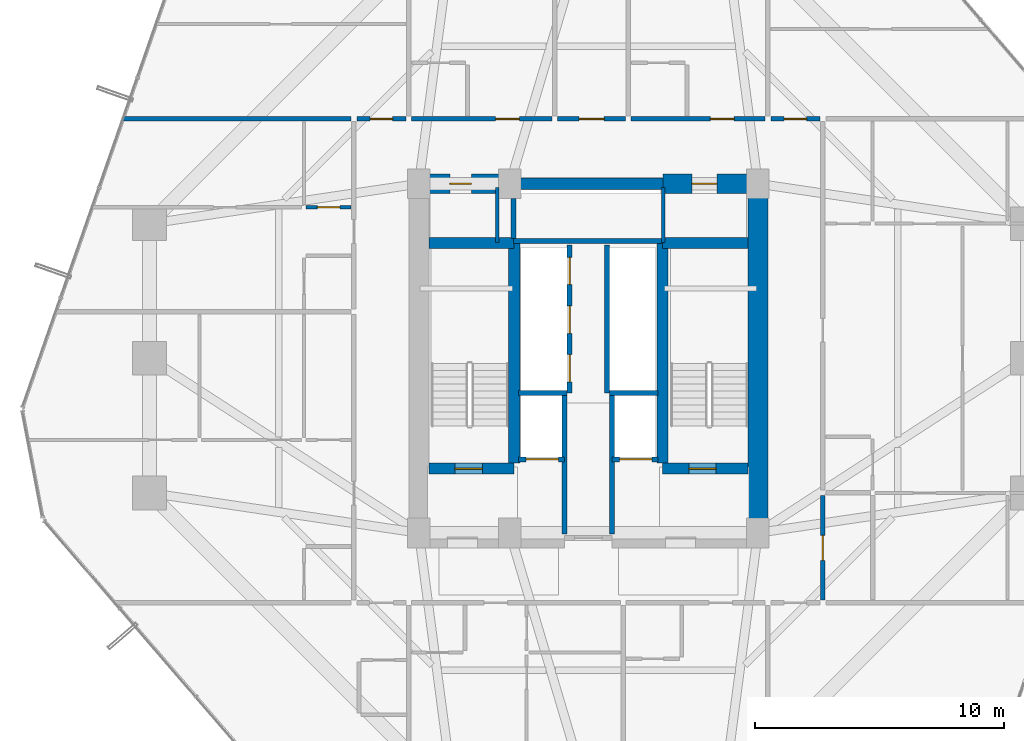
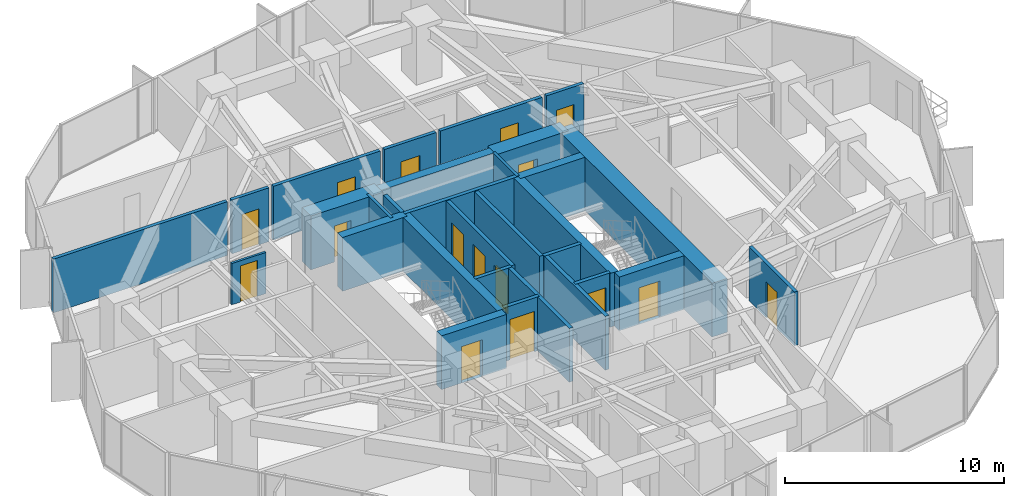
# One storey, part 34 of 38: 30 walls, 16 doors, 16 openings.
"""IFC4 building model written with IfcOpenShell, lengths in metres."""

from ifc_helpers import new_model, si_unit, direction, frame, frame_2d, origin, place, context, subcontext, project, spatial, rectangle, extrude, source, transform, mapped, material, layer, layer_set, type_object, element, fill, save


model = new_model("IFC4")

# Units and contexts
model_context = context("Model", 3, precision=1e-05, world=origin(), true_north=direction((0.0, 1.0)))
body_context = subcontext(model_context, "Body", "Model", "MODEL_VIEW")
ifc_project = project(units=[si_unit("LENGTHUNIT", "METRE"), si_unit("AREAUNIT", "SQUARE_METRE"), si_unit("VOLUMEUNIT", "CUBIC_METRE"), si_unit("PLANEANGLEUNIT", "RADIAN"), si_unit("MASSUNIT", "GRAM", prefix="KILO")], contexts=[model_context])

# Site, building, storey
site_placement = place(None, origin())
site = spatial("IfcSite", under=ifc_project, at=site_placement, CompositionType="ELEMENT")
building_placement = place(site_placement, origin())
building = spatial("IfcBuilding", under=site, at=building_placement, Name="Veraguas Prism Commons", CompositionType="ELEMENT")
storey_placement = place(building_placement, frame((0.0, 0.0, 60.85009765625)))
storey = spatial("IfcBuildingStorey", under=building, at=storey_placement, Name="L16", CompositionType="ELEMENT", Elevation=60.85009765625)

# Wall
ifc_material_1 = material(Name="Concrete C60/75", Category="concrete")
ifc_layer_1 = layer(ifc_material_1, 0.449951171875, Name="Core Internal Shear Wall Lower RC 450", Category="concrete")
ifc_layer_set_1 = layer_set([ifc_layer_1], Name="Concrete C60/75")
wall_type_1 = type_object("IfcWallType", Name="Core Internal Shear Wall Lower RC 450", PredefinedType="SHEAR", material=ifc_layer_set_1)
wall_1_placement = place(storey_placement, frame((21.0, 31.0, 0.0), z_axis=(0.0, 0.0, 1.0), x_axis=(1.0, 0.0, 0.0)))
element("IfcWall", 1, at=wall_1_placement, inside=storey, type_object=wall_type_1, Name="High-Rise Lift Bank Front Shear Wall L16", PredefinedType="SHEAR", context=body_context, shape_type="SweptSolid", body=[
    extrude(rectangle(XDim=6.0, YDim=0.449951171875, at=frame_2d((3.0, 0.0))), origin(), (0.0, 0.0, 1.0), 3.0),
])

# Wall, opening, door
wall_2_placement = place(storey_placement, frame((17.60009765625, 19.574951171875, 0.0), z_axis=(0.0, 0.0, 1.0), x_axis=(1.0, 0.0, 0.0)))
wall_2 = element("IfcWall", 2, at=wall_2_placement, inside=storey, type_object=wall_type_1, Name="Stair ST-01 South Shear Wall L16", PredefinedType="SHEAR", context=body_context, shape_type="SweptSolid", body=[
    extrude(rectangle(XDim=3.4248046875, YDim=0.449951171875, at=frame_2d((1.71240234375, 0.0))), origin(), (0.0, 0.0, 1.0), 3.0),
])
opening_1_placement = place(wall_2_placement, frame((1.050048828125, 0.0, 0.0)))
opening_1 = element("IfcOpeningElement", 3, at=opening_1_placement, cuts=wall_2, Name="Opening DR-05", PredefinedType="OPENING", context=body_context, shape_type="SweptSolid", body=[
    extrude(rectangle(XDim=1.10009765625, YDim=2.030029296875, at=frame_2d((0.550048828125, 1.01513671875))), frame((0.0, 0.23486328125, 0.0), z_axis=(0.0, -1.0, 0.0), x_axis=(1.0, 0.0, 0.0)), (0.0, 0.0, 1.0), 0.469970703125),
])
ifc_material_2 = material(Name="Steel fire-rated door assembly", Category="steel")
door_type_1 = type_object("IfcDoorType", Name="Protected Stair and Refuge Fire Door 1100x2030", OperationType="NOTDEFINED", PredefinedType="DOOR", material=ifc_material_2)
shared_shape_1 = source(origin(), body_context, "Body", "SweptSolid", [
    extrude(rectangle(XDim=1.10009765625, YDim=2.030029296875, at=frame_2d((0.550048828125, 1.01513671875))), frame((0.0, 0.02490234375, 0.0), z_axis=(0.0, -1.0, 0.0), x_axis=(1.0, 0.0, 0.0)), (0.0, 0.0, 1.0), 0.050048828125),
])
door_1_placement = place(opening_1_placement, origin())
door_1 = element("IfcDoor", 4, at=door_1_placement, inside=storey, type_object=door_type_1, Name="Stair ST-01 Enclosure Door L16", OperationType="SINGLE_SWING_RIGHT", OverallHeight=2.030029296875, OverallWidth=1.10009765625, PredefinedType="DOOR", context=body_context, shape_type="MappedRepresentation", body=[
    mapped(shared_shape_1, transform((0.0, 0.0, 0.0), scale=1.0)),
])
fill(opening_1, door_1)

wall_3_placement = place(storey_placement, frame((26.97509765625, 19.574951171875, 0.0), z_axis=(0.0, 0.0, 1.0), x_axis=(1.0, 0.0, 0.0)))
wall_3 = element("IfcWall", 5, at=wall_3_placement, inside=storey, type_object=wall_type_1, Name="Stair ST-02 South Shear Wall L16", PredefinedType="SHEAR", context=body_context, shape_type="SweptSolid", body=[
    extrude(rectangle(XDim=3.4248046875, YDim=0.449951171875, at=frame_2d((1.71240234375, 0.0))), origin(), (0.0, 0.0, 1.0), 3.0),
])
opening_2_placement = place(wall_3_placement, frame((1.050048828125, 0.0, 0.0)))
opening_2 = element("IfcOpeningElement", 6, at=opening_2_placement, cuts=wall_3, Name="Opening DR-05", PredefinedType="OPENING", context=body_context, shape_type="SweptSolid", body=[
    extrude(rectangle(XDim=1.10009765625, YDim=2.030029296875, at=frame_2d((0.550048828125, 1.01513671875))), frame((0.0, 0.23486328125, 0.0), z_axis=(0.0, -1.0, 0.0), x_axis=(1.0, 0.0, 0.0)), (0.0, 0.0, 1.0), 0.469970703125),
])
door_2_placement = place(opening_2_placement, origin())
door_2 = element("IfcDoor", 7, at=door_2_placement, inside=storey, type_object=door_type_1, Name="Stair ST-02 Enclosure Door L16", OperationType="SINGLE_SWING_LEFT", OverallHeight=2.030029296875, OverallWidth=1.10009765625, PredefinedType="DOOR", context=body_context, shape_type="MappedRepresentation", body=[
    mapped(shared_shape_1, transform((0.0, 0.0, 0.0), scale=1.0)),
])
fill(opening_2, door_2)

# Walls
for number, where, z_axis, x_axis, name in (
    (8, (21.02490234375, 19.800048828125, 0.0), (0.0, 0.0, 1.0), (0.0, 1.0, 0.0), "Stair ST-01 Inner Shear Wall L16"),
    (9, (26.97509765625, 19.800048828125, 0.0), (0.0, 0.0, 1.0), (0.0, 1.0, 0.0), "Stair ST-02 Inner Shear Wall L16"),
):
    element("IfcWall", number, at=place(storey_placement, frame(where, z_axis=z_axis, x_axis=x_axis)), inside=storey, type_object=wall_type_1, Name=name, PredefinedType="SHEAR", context=body_context, shape_type="SweptSolid", body=[
        extrude(rectangle(XDim=8.824951171875, YDim=0.449951171875, at=frame_2d((4.41259765625, 0.0))), origin(), (0.0, 0.0, 1.0), 3.0),
    ])
for number, where, z_axis, x_axis, name in (
    (10, (17.60009765625, 28.625, 0.0), (0.0, 0.0, 1.0), (1.0, 0.0, 0.0), "Stair ST-01 North Shear Wall L16"),
    (11, (26.97509765625, 28.625, 0.0), (0.0, 0.0, 1.0), (1.0, 0.0, 0.0), "Stair ST-02 North Shear Wall L16"),
):
    element("IfcWall", number, at=place(storey_placement, frame(where, z_axis=z_axis, x_axis=x_axis)), inside=storey, type_object=wall_type_1, Name=name, PredefinedType="SHEAR", context=body_context, shape_type="SweptSolid", body=[
        extrude(rectangle(XDim=3.4248046875, YDim=0.449951171875, at=frame_2d((1.71240234375, 0.0))), origin(), (0.0, 0.0, 1.0), 3.0),
    ])
ifc_layer_2 = layer(ifc_material_1, 0.800048828125, Name="Core Outer Shear Wall Lower RC 800", Category="concrete")
ifc_layer_set_2 = layer_set([ifc_layer_2], Name="Concrete C60/75")
wall_type_2 = type_object("IfcWallType", Name="Core Outer Shear Wall Lower RC 800", PredefinedType="SHEAR", material=ifc_layer_set_2)
wall_4_placement = place(storey_placement, frame((30.800048828125, 16.800048828125, 0.0), z_axis=(0.0, 0.0, 1.0), x_axis=(0.0, 1.0, 0.0)))
element("IfcWall", 12, at=wall_4_placement, inside=storey, type_object=wall_type_2, Name="Central Core East Shear Wall L16", PredefinedType="SHEAR", context=body_context, shape_type="SweptSolid", body=[
    extrude(rectangle(XDim=14.199951171875, YDim=0.800048828125, at=frame_2d((7.10009765625, 0.0))), origin(), (0.0, 0.0, 1.0), 3.0),
])

# Wall, opening, door
wall_5_placement = place(storey_placement, frame((17.199951171875, 31.0, 0.0), z_axis=(0.0, 0.0, 1.0), x_axis=(1.0, 0.0, 0.0)))
wall_5 = element("IfcWall", 13, at=wall_5_placement, inside=storey, type_object=wall_type_2, Name="Central Core North-West Shear Wall L16", PredefinedType="SHEAR", context=body_context, shape_type="SweptSolid", body=[
    extrude(rectangle(XDim=3.800048828125, YDim=0.800048828125, at=frame_2d((1.89990234375, 0.0))), origin(), (0.0, 0.0, 1.0), 3.0),
])
opening_3_placement = place(wall_5_placement, frame((1.25, 0.0, 0.0)))
opening_3 = element("IfcOpeningElement", 14, at=opening_3_placement, cuts=wall_5, Name="Opening DR-12", PredefinedType="OPENING", context=body_context, shape_type="SweptSolid", body=[
    extrude(rectangle(XDim=0.860107421875, YDim=2.010009765625, at=frame_2d((0.43017578125, 1.0048828125))), frame((0.0, 0.409912109375, 0.0), z_axis=(0.0, -1.0, 0.0), x_axis=(1.0, 0.0, 0.0)), (0.0, 0.0, 1.0), 0.820068359375),
])
door_type_2 = type_object("IfcDoorType", Name="Core WC Fire Door 860x2010", OperationType="NOTDEFINED", PredefinedType="DOOR", material=ifc_material_2)
shared_shape_2 = source(origin(), body_context, "Body", "SweptSolid", [
    extrude(rectangle(XDim=0.860107421875, YDim=2.010009765625, at=frame_2d((0.43017578125, 1.0048828125))), frame((0.0, 0.02490234375, 0.0), z_axis=(0.0, -1.0, 0.0), x_axis=(1.0, 0.0, 0.0)), (0.0, 0.0, 1.0), 0.050048828125),
])
door_3_placement = place(opening_3_placement, origin())
door_3 = element("IfcDoor", 15, at=door_3_placement, inside=storey, type_object=door_type_2, Name="Core NW Service Door L16", OperationType="SINGLE_SWING_RIGHT", OverallHeight=2.010009765625, OverallWidth=0.860107421875, PredefinedType="DOOR", context=body_context, shape_type="MappedRepresentation", body=[
    mapped(shared_shape_2, transform((0.0, 0.0, 0.0), scale=1.0)),
])
fill(opening_3, door_3)

wall_6_placement = place(storey_placement, frame((27.0, 31.0, 0.0), z_axis=(0.0, 0.0, 1.0), x_axis=(1.0, 0.0, 0.0)))
wall_6 = element("IfcWall", 16, at=wall_6_placement, inside=storey, type_object=wall_type_2, Name="Central Core North-East Shear Wall L16", PredefinedType="SHEAR", context=body_context, shape_type="SweptSolid", body=[
    extrude(rectangle(XDim=3.800048828125, YDim=0.800048828125, at=frame_2d((1.89990234375, 0.0))), origin(), (0.0, 0.0, 1.0), 3.0),
])
opening_4_placement = place(wall_6_placement, frame((1.14990234375, 0.0, 0.0)))
opening_4 = element("IfcOpeningElement", 17, at=opening_4_placement, cuts=wall_6, Name="Opening DR-13", PredefinedType="OPENING", context=body_context, shape_type="SweptSolid", body=[
    extrude(rectangle(XDim=1.0, YDim=2.010009765625, at=frame_2d((0.5, 1.0048828125))), frame((0.0, 0.409912109375, 0.0), z_axis=(0.0, -1.0, 0.0), x_axis=(1.0, 0.0, 0.0)), (0.0, 0.0, 1.0), 0.820068359375),
])
door_type_3 = type_object("IfcDoorType", Name="Core Accessible WC and Clinic Fire Door 1000x2010", OperationType="NOTDEFINED", PredefinedType="DOOR", material=ifc_material_2)
shared_shape_3 = source(origin(), body_context, "Body", "SweptSolid", [
    extrude(rectangle(XDim=1.0, YDim=2.010009765625, at=frame_2d((0.5, 1.0048828125))), frame((0.0, 0.02490234375, 0.0), z_axis=(0.0, -1.0, 0.0), x_axis=(1.0, 0.0, 0.0)), (0.0, 0.0, 1.0), 0.050048828125),
])
door_4_placement = place(opening_4_placement, origin())
door_4 = element("IfcDoor", 18, at=door_4_placement, inside=storey, type_object=door_type_3, Name="Core NE Pantry Door L16", OperationType="SINGLE_SWING_LEFT", OverallHeight=2.010009765625, OverallWidth=1.0, PredefinedType="DOOR", context=body_context, shape_type="MappedRepresentation", body=[
    mapped(shared_shape_3, transform((0.0, 0.0, 0.0), scale=1.0)),
])
fill(opening_4, door_4)

ifc_material_3 = material(Name="Autoclaved aerated masonry block 10 MPa", Category="masonry")
ifc_layer_3 = layer(ifc_material_3, 0.179931640625, Name="Corridor and Inter-Tenancy Partition 180", Category="masonry")
ifc_layer_set_3 = layer_set([ifc_layer_3], Name="Autoclaved aerated masonry block 10 MPa")
wall_type_3 = type_object("IfcWallType", Name="Corridor and Inter-Tenancy Partition 180", PredefinedType="PARTITIONING", material=ifc_layer_set_3)
wall_7_placement = place(storey_placement, frame((22.76806640625, 33.60009765625, 0.0), z_axis=(0.0, 0.0, 1.0), x_axis=(1.0, 0.0, 0.0)))
wall_7 = element("IfcWall", 19, at=wall_7_placement, inside=storey, type_object=wall_type_3, Name="WL-L16-PT017", PredefinedType="PARTITIONING", context=body_context, shape_type="SweptSolid", body=[
    extrude(rectangle(XDim=2.72998046875, YDim=0.179931640625, at=frame_2d((1.364990234375, 0.0))), origin(), (0.0, 0.0, 1.0), 3.0),
])
opening_5_placement = place(wall_7_placement, frame((0.864990234375, 0.0, 0.0)))
opening_5 = element("IfcOpeningElement", 20, at=opening_5_placement, cuts=wall_7, Name="Opening DR-13", PredefinedType="OPENING", context=body_context, shape_type="SweptSolid", body=[
    extrude(rectangle(XDim=1.0, YDim=2.010009765625, at=frame_2d((0.5, 1.0048828125))), frame((0.0, 0.099853515625, 0.0), z_axis=(0.0, -1.0, 0.0), x_axis=(1.0, 0.0, 0.0)), (0.0, 0.0, 1.0), 0.199951171875),
])
door_5_placement = place(opening_5_placement, origin())
door_5 = element("IfcDoor", 21, at=door_5_placement, inside=storey, type_object=door_type_3, Name="Quiet Study N Door", OperationType="SINGLE_SWING_LEFT", OverallHeight=2.010009765625, OverallWidth=1.0, PredefinedType="DOOR", context=body_context, shape_type="MappedRepresentation", body=[
    mapped(shared_shape_3, transform((0.0, 0.0, 0.0), scale=1.0)),
])
fill(opening_5, door_5)

wall_8_placement = place(storey_placement, frame((16.909912109375, 33.60009765625, 0.0), z_axis=(0.0, 0.0, 1.0), x_axis=(1.0, 0.0, 0.0)))
wall_8 = element("IfcWall", 22, at=wall_8_placement, inside=storey, type_object=wall_type_3, Name="WL-L16-PT019", PredefinedType="PARTITIONING", context=body_context, shape_type="SweptSolid", body=[
    extrude(rectangle(XDim=5.63818359375, YDim=0.179931640625, at=frame_2d((2.819091796875, 0.0))), origin(), (0.0, 0.0, 1.0), 3.0),
])
opening_6_placement = place(wall_8_placement, frame((3.373046875, 0.0, 0.0)))
opening_6 = element("IfcOpeningElement", 23, at=opening_6_placement, cuts=wall_8, Name="Opening DR-01", PredefinedType="OPENING", context=body_context, shape_type="SweptSolid", body=[
    extrude(rectangle(XDim=0.949951171875, YDim=2.02001953125, at=frame_2d((0.47509765625, 1.010009765625))), frame((0.0, 0.099853515625, 0.0), z_axis=(0.0, -1.0, 0.0), x_axis=(1.0, 0.0, 0.0)), (0.0, 0.0, 1.0), 0.199951171875),
])
ifc_material_4 = material(Name="Anodised aluminium EN AW-6063 T6", Category="aluminium")
door_type_4 = type_object("IfcDoorType", Name="Apartment Entrance Fire Door 950x2020", OperationType="NOTDEFINED", PredefinedType="DOOR", material=ifc_material_4)
shared_shape_4 = source(origin(), body_context, "Body", "SweptSolid", [
    extrude(rectangle(XDim=0.949951171875, YDim=2.02001953125, at=frame_2d((0.47509765625, 1.010009765625))), frame((0.0, 0.02490234375, 0.0), z_axis=(0.0, -1.0, 0.0), x_axis=(1.0, 0.0, 0.0)), (0.0, 0.0, 1.0), 0.050048828125),
])
door_6_placement = place(opening_6_placement, origin())
door_6 = element("IfcDoor", 24, at=door_6_placement, inside=storey, type_object=door_type_4, Name="Studio 16C Entrance Door", OperationType="SINGLE_SWING_RIGHT", OverallHeight=2.02001953125, OverallWidth=0.949951171875, PredefinedType="DOOR", context=body_context, shape_type="MappedRepresentation", body=[
    mapped(shared_shape_4, transform((0.0, 0.0, 0.0), scale=1.0)),
])
fill(opening_6, door_6)

wall_9_placement = place(storey_placement, frame((25.718017578125, 33.60009765625, 0.0), z_axis=(0.0, 0.0, 1.0), x_axis=(1.0, 0.0, 0.0)))
wall_9 = element("IfcWall", 25, at=wall_9_placement, inside=storey, type_object=wall_type_3, Name="WL-L16-PT023", PredefinedType="PARTITIONING", context=body_context, shape_type="SweptSolid", body=[
    extrude(rectangle(XDim=5.3720703125, YDim=0.179931640625, at=frame_2d((2.68603515625, 0.0))), origin(), (0.0, 0.0, 1.0), 3.0),
])
opening_7_placement = place(wall_9_placement, frame((3.17626953125, 0.0, 0.0)))
opening_7 = element("IfcOpeningElement", 26, at=opening_7_placement, cuts=wall_9, Name="Opening DR-01", PredefinedType="OPENING", context=body_context, shape_type="SweptSolid", body=[
    extrude(rectangle(XDim=0.949951171875, YDim=2.02001953125, at=frame_2d((0.47509765625, 1.010009765625))), frame((0.0, 0.099853515625, 0.0), z_axis=(0.0, -1.0, 0.0), x_axis=(1.0, 0.0, 0.0)), (0.0, 0.0, 1.0), 0.199951171875),
])
door_7_placement = place(opening_7_placement, origin())
door_7 = element("IfcDoor", 27, at=door_7_placement, inside=storey, type_object=door_type_4, Name="Studio 16D Entrance Door", OperationType="SINGLE_SWING_RIGHT", OverallHeight=2.02001953125, OverallWidth=0.949951171875, PredefinedType="DOOR", context=body_context, shape_type="MappedRepresentation", body=[
    mapped(shared_shape_4, transform((0.0, 0.0, 0.0), scale=1.0)),
])
fill(opening_7, door_7)

# Wall
wall_10_placement = place(storey_placement, frame((14.47998046875, 33.60009765625, 0.0), z_axis=(0.0, 0.0, 1.0), x_axis=(-1.0, 0.0, 0.0)))
element("IfcWall", 28, at=wall_10_placement, inside=storey, type_object=wall_type_3, Name="WL-L16-PT027", PredefinedType="PARTITIONING", context=body_context, shape_type="SweptSolid", body=[
    extrude(rectangle(XDim=9.17626953125, YDim=0.179931640625, at=frame_2d((4.588134765625, 0.0))), origin(), (0.0, 0.0, 1.0), 3.0),
])

# Wall, opening, door
wall_11_placement = place(storey_placement, frame((33.39990234375, 14.31005859375, 0.0), z_axis=(0.0, 0.0, 1.0), x_axis=(0.0, 1.0, 0.0)))
wall_11 = element("IfcWall", 29, at=wall_11_placement, inside=storey, type_object=wall_type_3, Name="WL-L16-PT045", PredefinedType="PARTITIONING", context=body_context, shape_type="SweptSolid", body=[
    extrude(rectangle(XDim=4.179931640625, YDim=0.179931640625, at=frame_2d((2.08984375, 0.0))), origin(), (0.0, 0.0, 1.0), 3.0),
])
opening_8_placement = place(wall_11_placement, frame((1.590087890625, 0.0, 0.0)))
opening_8 = element("IfcOpeningElement", 30, at=opening_8_placement, cuts=wall_11, Name="Opening DR-13", PredefinedType="OPENING", context=body_context, shape_type="SweptSolid", body=[
    extrude(rectangle(XDim=1.0, YDim=2.010009765625, at=frame_2d((0.5, 1.0048828125))), frame((0.0, 0.099853515625, 0.0), z_axis=(0.0, -1.0, 0.0), x_axis=(1.0, 0.0, 0.0)), (0.0, 0.0, 1.0), 0.199951171875),
])
door_8_placement = place(opening_8_placement, origin())
door_8 = element("IfcDoor", 31, at=door_8_placement, inside=storey, type_object=door_type_3, Name="Residents Study Alcove 16G Door", OperationType="SINGLE_SWING_LEFT", OverallHeight=2.010009765625, OverallWidth=1.0, PredefinedType="DOOR", context=body_context, shape_type="MappedRepresentation", body=[
    mapped(shared_shape_3, transform((0.0, 0.0, 0.0), scale=1.0)),
])
fill(opening_8, door_8)

wall_12_placement = place(storey_placement, frame((14.719970703125, 33.60009765625, 0.0), z_axis=(0.0, 0.0, 1.0), x_axis=(1.0, 0.0, 0.0)))
wall_12 = element("IfcWall", 32, at=wall_12_placement, inside=storey, type_object=wall_type_3, Name="WL-L16-PT065", PredefinedType="PARTITIONING", context=body_context, shape_type="SweptSolid", body=[
    extrude(rectangle(XDim=1.9599609375, YDim=0.179931640625, at=frame_2d((0.97998046875, 0.0))), origin(), (0.0, 0.0, 1.0), 3.0),
])
opening_9_placement = place(wall_12_placement, frame((0.530029296875, 0.0, 0.0)))
opening_9 = element("IfcOpeningElement", 33, at=opening_9_placement, cuts=wall_12, Name="Opening DR-14", PredefinedType="OPENING", context=body_context, shape_type="SweptSolid", body=[
    extrude(rectangle(XDim=0.89990234375, YDim=2.010009765625, at=frame_2d((0.449951171875, 1.0048828125))), frame((0.0, 0.099853515625, 0.0), z_axis=(0.0, -1.0, 0.0), x_axis=(1.0, 0.0, 0.0)), (0.0, 0.0, 1.0), 0.199951171875),
])
door_type_5 = type_object("IfcDoorType", Name="Core Service Room Fire Door 900x2010", OperationType="NOTDEFINED", PredefinedType="DOOR", material=ifc_material_2)
shared_shape_5 = source(origin(), body_context, "Body", "SweptSolid", [
    extrude(rectangle(XDim=0.89990234375, YDim=2.010009765625, at=frame_2d((0.449951171875, 1.0048828125))), frame((0.0, 0.02490234375, 0.0), z_axis=(0.0, -1.0, 0.0), x_axis=(1.0, 0.0, 0.0)), (0.0, 0.0, 1.0), 0.050048828125),
])
door_9_placement = place(opening_9_placement, origin())
door_9 = element("IfcDoor", 34, at=door_9_placement, inside=storey, type_object=door_type_5, Name="Shared Laundry Room Door", OperationType="SINGLE_SWING_LEFT", OverallHeight=2.010009765625, OverallWidth=0.89990234375, PredefinedType="DOOR", context=body_context, shape_type="MappedRepresentation", body=[
    mapped(shared_shape_5, transform((0.0, 0.0, 0.0), scale=1.0)),
])
fill(opening_9, door_9)

wall_13_placement = place(storey_placement, frame((31.320068359375, 33.60009765625, 0.0), z_axis=(0.0, 0.0, 1.0), x_axis=(1.0, 0.0, 0.0)))
wall_13 = element("IfcWall", 35, at=wall_13_placement, inside=storey, type_object=wall_type_3, Name="WL-L16-PT067", PredefinedType="PARTITIONING", context=body_context, shape_type="SweptSolid", body=[
    extrude(rectangle(XDim=1.9599609375, YDim=0.179931640625, at=frame_2d((0.97998046875, 0.0))), origin(), (0.0, 0.0, 1.0), 3.0),
])
opening_10_placement = place(wall_13_placement, frame((0.530029296875, 0.0, 0.0)))
opening_10 = element("IfcOpeningElement", 36, at=opening_10_placement, cuts=wall_13, Name="Opening DR-14", PredefinedType="OPENING", context=body_context, shape_type="SweptSolid", body=[
    extrude(rectangle(XDim=0.89990234375, YDim=2.010009765625, at=frame_2d((0.449951171875, 1.0048828125))), frame((0.0, 0.099853515625, 0.0), z_axis=(0.0, -1.0, 0.0), x_axis=(1.0, 0.0, 0.0)), (0.0, 0.0, 1.0), 0.199951171875),
])
door_10_placement = place(opening_10_placement, origin())
door_10 = element("IfcDoor", 37, at=door_10_placement, inside=storey, type_object=door_type_5, Name="Corner Study NE Door", OperationType="SINGLE_SWING_LEFT", OverallHeight=2.010009765625, OverallWidth=0.89990234375, PredefinedType="DOOR", context=body_context, shape_type="MappedRepresentation", body=[
    mapped(shared_shape_5, transform((0.0, 0.0, 0.0), scale=1.0)),
])
fill(opening_10, door_10)

ifc_material_5 = material(Name="Lightweight acoustic gypsum board")
ifc_layer_4 = layer(ifc_material_5, 0.125, Name="Internal Apartment Room Partition 125")
ifc_layer_set_4 = layer_set([ifc_layer_4], Name="Lightweight acoustic gypsum board")
wall_type_4 = type_object("IfcWallType", Name="Internal Apartment Room Partition 125", PredefinedType="PARTITIONING", material=ifc_layer_set_4)
wall_14_placement = place(storey_placement, frame((14.47998046875, 30.05810546875, 0.0), z_axis=(0.0, 0.0, 1.0), x_axis=(-1.0, 0.0, 0.0)))
wall_14 = element("IfcWall", 38, at=wall_14_placement, inside=storey, type_object=wall_type_4, Name="WL-L16-PT040", PredefinedType="PARTITIONING", context=body_context, shape_type="SweptSolid", body=[
    extrude(rectangle(XDim=1.800048828125, YDim=0.125, at=frame_2d((0.89990234375, 0.0))), origin(), (0.0, 0.0, 1.0), 2.298828125),
])
opening_11_placement = place(wall_14_placement, frame((0.449951171875, 0.0, 0.0)))
opening_11 = element("IfcOpeningElement", 39, at=opening_11_placement, cuts=wall_14, Name="Opening DR-02", PredefinedType="OPENING", context=body_context, shape_type="SweptSolid", body=[
    extrude(rectangle(XDim=0.89990234375, YDim=2.010009765625, at=frame_2d((0.449951171875, 1.0048828125))), frame((0.0, 0.072509765625, 0.0), z_axis=(0.0, -1.0, 0.0), x_axis=(1.0, 0.0, 0.0)), (0.0, 0.0, 1.0), 0.14501953125),
])
ifc_material_6 = material(Name="Timber solid core hardwood", Category="wood")
door_type_6 = type_object("IfcDoorType", Name="Internal Habitable Room Door 900x2010", OperationType="NOTDEFINED", PredefinedType="DOOR", material=ifc_material_6)
door_11_placement = place(opening_11_placement, origin())
door_11 = element("IfcDoor", 40, at=door_11_placement, inside=storey, type_object=door_type_6, Name="Flat 16F Kitchen Door", OperationType="SINGLE_SWING_LEFT", OverallHeight=2.010009765625, OverallWidth=0.89990234375, PredefinedType="DOOR", context=body_context, shape_type="MappedRepresentation", body=[
    mapped(shared_shape_5, transform((0.0, 0.0, 0.0), scale=1.0)),
])
fill(opening_11, door_11)

ifc_layer_5 = layer(ifc_material_3, 0.199951171875, Name="Rated Shaft and Lobby Block Wall 200", Category="masonry")
ifc_layer_set_5 = layer_set([ifc_layer_5], Name="Autoclaved aerated masonry block 10 MPa")
wall_type_5 = type_object("IfcWallType", Name="Rated Shaft and Lobby Block Wall 200", PredefinedType="SOLIDWALL", material=ifc_layer_set_5)
wall_15_placement = place(storey_placement, frame((21.199951171875, 19.949951171875, 0.0), z_axis=(0.0, 0.0, 1.0), x_axis=(1.0, 0.0, 0.0)))
wall_15 = element("IfcWall", 41, at=wall_15_placement, inside=storey, type_object=wall_type_5, Name="Firefighting Lift FFL-1 Front Wall L16", PredefinedType="SOLIDWALL", context=body_context, shape_type="SweptSolid", body=[
    extrude(rectangle(XDim=1.85009765625, YDim=0.199951171875, at=frame_2d((0.925048828125, 0.0))), origin(), (0.0, 0.0, 1.0), 3.0),
])
opening_12_placement = place(wall_15_placement, frame((0.300048828125, 0.0, 0.0)))
opening_12 = element("IfcOpeningElement", 42, at=opening_12_placement, cuts=wall_15, Name="Opening LD-02", PredefinedType="OPENING", context=body_context, shape_type="SweptSolid", body=[
    extrude(rectangle(XDim=1.300048828125, YDim=2.25, at=frame_2d((0.64990234375, 1.125))), frame((0.0, 0.10986328125, 0.0), z_axis=(0.0, -1.0, 0.0), x_axis=(1.0, 0.0, 0.0)), (0.0, 0.0, 1.0), 0.219970703125),
])
ifc_material_7 = material(Name="Stainless steel AISI 316", Category="steel")
door_type_7 = type_object("IfcDoorType", Name="Firefighting Lift Sliding Landing Door 1300x2250", OperationType="NOTDEFINED", PredefinedType="DOOR", material=ifc_material_7)
shared_shape_6 = source(origin(), body_context, "Body", "SweptSolid", [
    extrude(rectangle(XDim=1.300048828125, YDim=2.25, at=frame_2d((0.64990234375, 1.125))), frame((0.0, 0.02490234375, 0.0), z_axis=(0.0, -1.0, 0.0), x_axis=(1.0, 0.0, 0.0)), (0.0, 0.0, 1.0), 0.050048828125),
])
door_12_placement = place(opening_12_placement, origin())
door_12 = element("IfcDoor", 43, at=door_12_placement, inside=storey, type_object=door_type_7, Name="Firefighting Lift FFL-1 Landing Door L16", OperationType="SLIDING_TO_LEFT", OverallHeight=2.25, OverallWidth=1.300048828125, PredefinedType="DOOR", context=body_context, shape_type="MappedRepresentation", body=[
    mapped(shared_shape_6, transform((0.0, 0.0, 0.0), scale=1.0)),
])
fill(opening_12, door_12)

wall_16_placement = place(storey_placement, frame((24.949951171875, 19.949951171875, 0.0), z_axis=(0.0, 0.0, 1.0), x_axis=(1.0, 0.0, 0.0)))
wall_16 = element("IfcWall", 44, at=wall_16_placement, inside=storey, type_object=wall_type_5, Name="Firefighting Lift FFL-2 Front Wall L16", PredefinedType="SOLIDWALL", context=body_context, shape_type="SweptSolid", body=[
    extrude(rectangle(XDim=1.85009765625, YDim=0.199951171875, at=frame_2d((0.925048828125, 0.0))), origin(), (0.0, 0.0, 1.0), 3.0),
])
opening_13_placement = place(wall_16_placement, frame((0.300048828125, 0.0, 0.0)))
opening_13 = element("IfcOpeningElement", 45, at=opening_13_placement, cuts=wall_16, Name="Opening LD-02", PredefinedType="OPENING", context=body_context, shape_type="SweptSolid", body=[
    extrude(rectangle(XDim=1.300048828125, YDim=2.25, at=frame_2d((0.64990234375, 1.125))), frame((0.0, 0.10986328125, 0.0), z_axis=(0.0, -1.0, 0.0), x_axis=(1.0, 0.0, 0.0)), (0.0, 0.0, 1.0), 0.219970703125),
])
door_13_placement = place(opening_13_placement, origin())
door_13 = element("IfcDoor", 46, at=door_13_placement, inside=storey, type_object=door_type_7, Name="Firefighting Lift FFL-2 Front Wall L16", OperationType="SLIDING_TO_LEFT", OverallHeight=2.25, OverallWidth=1.300048828125, PredefinedType="DOOR", context=body_context, shape_type="MappedRepresentation", body=[
    mapped(shared_shape_6, transform((0.0, 0.0, 0.0), scale=1.0)),
])
fill(opening_13, door_13)

# Walls
for number, where, z_axis, x_axis, name in (
    (47, (23.050048828125, 16.949951171875, 0.0), (0.0, 0.0, 1.0), (0.0, 1.0, 0.0), "West FF Lobby Divider Wall L16"),
    (48, (24.949951171875, 16.949951171875, 0.0), (0.0, 0.0, 1.0), (0.0, 1.0, 0.0), "East FF Lobby Divider Wall L16"),
):
    element("IfcWall", number, at=place(storey_placement, frame(where, z_axis=z_axis, x_axis=x_axis)), inside=storey, type_object=wall_type_5, Name=name, PredefinedType="SOLIDWALL", context=body_context, shape_type="SweptSolid", body=[
        extrude(rectangle(XDim=5.60009765625, YDim=0.199951171875, at=frame_2d((2.800048828125, 0.0))), origin(), (0.0, 0.0, 1.0), 3.0),
    ])
for number, where, z_axis, x_axis, name in (
    (49, (21.199951171875, 22.60009765625, 0.0), (0.0, 0.0, 1.0), (1.0, 0.0, 0.0), "Firefighting Lift FFL-1 Rear Wall L16"),
    (50, (24.85009765625, 22.60009765625, 0.0), (0.0, 0.0, 1.0), (1.0, 0.0, 0.0), "Firefighting Lift FFL-2 Rear Wall L16"),
):
    element("IfcWall", number, at=place(storey_placement, frame(where, z_axis=z_axis, x_axis=x_axis)), inside=storey, type_object=wall_type_5, Name=name, PredefinedType="SOLIDWALL", context=body_context, shape_type="SweptSolid", body=[
        extrude(rectangle(XDim=1.949951171875, YDim=0.199951171875, at=frame_2d((0.97509765625, 0.0))), origin(), (0.0, 0.0, 1.0), 3.0),
    ])
wall_17_placement = place(storey_placement, frame((21.0, 28.699951171875, 0.0), z_axis=(0.0, 0.0, 1.0), x_axis=(1.0, 0.0, 0.0)))
element("IfcWall", 51, at=wall_17_placement, inside=storey, type_object=wall_type_5, Name="High-Rise Lift Bank Rear Shaft Wall L16", PredefinedType="SOLIDWALL", context=body_context, shape_type="SweptSolid", body=[
    extrude(rectangle(XDim=6.0, YDim=0.199951171875, at=frame_2d((3.0, 0.0))), origin(), (0.0, 0.0, 1.0), 3.0),
])
wall_18_placement = place(storey_placement, frame((21.0, 28.800048828125, 0.0), z_axis=(0.0, 0.0, 1.0), x_axis=(0.0, 1.0, 0.0)))
element("IfcWall", 52, at=wall_18_placement, inside=storey, type_object=wall_type_5, Name="High-Rise Lift Bank West Shaft Wall L16", PredefinedType="SOLIDWALL", context=body_context, shape_type="SweptSolid", body=[
    extrude(rectangle(XDim=1.599853515625, YDim=0.199951171875, at=frame_2d((0.7998046875, 0.0))), origin(), (0.0, 0.0, 1.0), 3.0),
])

# Wall, openings, doors
wall_19_placement = place(storey_placement, frame((23.25, 22.60009765625, 0.0), z_axis=(0.0, 0.0, 1.0), x_axis=(0.0, 1.0, 0.0)))
wall_19 = element("IfcWall", 53, at=wall_19_placement, inside=storey, type_object=wall_type_5, Name="Low-Rise Lift Bank Front Wall L16", PredefinedType="SOLIDWALL", context=body_context, shape_type="SweptSolid", body=[
    extrude(rectangle(XDim=5.949951171875, YDim=0.199951171875, at=frame_2d((2.97509765625, 0.0))), origin(), (0.0, 0.0, 1.0), 3.0),
])
opening_14_placement = place(wall_19_placement, frame((0.449951171875, 0.0, 0.0)))
opening_14 = element("IfcOpeningElement", 54, at=opening_14_placement, cuts=wall_19, Name="Opening LD-01", PredefinedType="OPENING", context=body_context, shape_type="SweptSolid", body=[
    extrude(rectangle(XDim=1.10009765625, YDim=2.080078125, at=frame_2d((0.550048828125, 1.0400390625))), frame((0.0, 0.10986328125, 0.0), z_axis=(0.0, -1.0, 0.0), x_axis=(1.0, 0.0, 0.0)), (0.0, 0.0, 1.0), 0.219970703125),
])
opening_15_placement = place(wall_19_placement, frame((2.39990234375, 0.0, 0.0)))
opening_15 = element("IfcOpeningElement", 55, at=opening_15_placement, cuts=wall_19, Name="Opening LD-01", PredefinedType="OPENING", context=body_context, shape_type="SweptSolid", body=[
    extrude(rectangle(XDim=1.10009765625, YDim=2.080078125, at=frame_2d((0.550048828125, 1.0400390625))), frame((0.0, 0.10986328125, 0.0), z_axis=(0.0, -1.0, 0.0), x_axis=(1.0, 0.0, 0.0)), (0.0, 0.0, 1.0), 0.219970703125),
])
opening_16_placement = place(wall_19_placement, frame((4.35009765625, 0.0, 0.0)))
opening_16 = element("IfcOpeningElement", 56, at=opening_16_placement, cuts=wall_19, Name="Opening LD-01", PredefinedType="OPENING", context=body_context, shape_type="SweptSolid", body=[
    extrude(rectangle(XDim=1.10009765625, YDim=2.080078125, at=frame_2d((0.550048828125, 1.0400390625))), frame((0.0, 0.10986328125, 0.0), z_axis=(0.0, -1.0, 0.0), x_axis=(1.0, 0.0, 0.0)), (0.0, 0.0, 1.0), 0.219970703125),
])
door_type_8 = type_object("IfcDoorType", Name="Passenger Lift Sliding Landing Door 1100x2080", OperationType="NOTDEFINED", PredefinedType="DOOR", material=ifc_material_7)
shared_shape_7 = source(origin(), body_context, "Body", "SweptSolid", [
    extrude(rectangle(XDim=1.10009765625, YDim=2.080078125, at=frame_2d((0.550048828125, 1.0400390625))), frame((0.0, 0.02490234375, 0.0), z_axis=(0.0, -1.0, 0.0), x_axis=(1.0, 0.0, 0.0)), (0.0, 0.0, 1.0), 0.050048828125),
])
door_14_placement = place(opening_14_placement, origin())
door_14 = element("IfcDoor", 57, at=door_14_placement, inside=storey, type_object=door_type_8, Name="Sliding Landing Door PL-L1 L16", OperationType="SLIDING_TO_LEFT", OverallHeight=2.080078125, OverallWidth=1.10009765625, PredefinedType="DOOR", context=body_context, shape_type="MappedRepresentation", body=[
    mapped(shared_shape_7, transform((0.0, 0.0, 0.0), scale=1.0)),
])
fill(opening_14, door_14)
door_15_placement = place(opening_15_placement, origin())
door_15 = element("IfcDoor", 58, at=door_15_placement, inside=storey, type_object=door_type_8, Name="Sliding Landing Door PL-L2 L16", OperationType="SLIDING_TO_LEFT", OverallHeight=2.080078125, OverallWidth=1.10009765625, PredefinedType="DOOR", context=body_context, shape_type="MappedRepresentation", body=[
    mapped(shared_shape_7, transform((0.0, 0.0, 0.0), scale=1.0)),
])
fill(opening_15, door_15)
door_16_placement = place(opening_16_placement, origin())
door_16 = element("IfcDoor", 59, at=door_16_placement, inside=storey, type_object=door_type_8, Name="Sliding Landing Door PL-L3 L16", OperationType="SLIDING_TO_LEFT", OverallHeight=2.080078125, OverallWidth=1.10009765625, PredefinedType="DOOR", context=body_context, shape_type="MappedRepresentation", body=[
    mapped(shared_shape_7, transform((0.0, 0.0, 0.0), scale=1.0)),
])
fill(opening_16, door_16)

# Walls
wall_20_placement = place(storey_placement, frame((24.75, 22.60009765625, 0.0), z_axis=(0.0, 0.0, 1.0), x_axis=(0.0, 1.0, 0.0)))
element("IfcWall", 60, at=wall_20_placement, inside=storey, type_object=wall_type_5, Name="Mid-Rise Lift Bank Front Wall L16", PredefinedType="SOLIDWALL", context=body_context, shape_type="SweptSolid", body=[
    extrude(rectangle(XDim=5.949951171875, YDim=0.199951171875, at=frame_2d((2.97509765625, 0.0))), origin(), (0.0, 0.0, 1.0), 3.0),
])
ifc_layer_6 = layer(ifc_material_5, 0.14990234375, Name="Wet Room and Clinic Acoustic Partition 150")
ifc_layer_set_6 = layer_set([ifc_layer_6], Name="Lightweight acoustic gypsum board")
wall_type_6 = type_object("IfcWallType", Name="Wet Room and Clinic Acoustic Partition 150", PredefinedType="PARTITIONING", material=ifc_layer_set_6)
for number, where, z_axis, x_axis, name in (
    (61, (20.35009765625, 28.64990234375, 0.0), (0.0, 0.0, 1.0), (0.0, 1.0, 0.0), "Core NW Service Inner Wall L16"),
    (62, (27.0, 28.64990234375, 0.0), (0.0, 0.0, 1.0), (0.0, 1.0, 0.0), "Core NE Service Inner Wall L16"),
):
    element("IfcWall", number, at=place(storey_placement, frame(where, z_axis=z_axis, x_axis=x_axis)), inside=storey, type_object=wall_type_6, Name=name, PredefinedType="PARTITIONING", context=body_context, shape_type="SweptSolid", body=[
        extrude(rectangle(XDim=2.2001953125, YDim=0.14990234375, at=frame_2d((1.10009765625, 0.0))), origin(), (0.0, 0.0, 1.0), 3.0),
    ])

save(model, "model.ifc")
